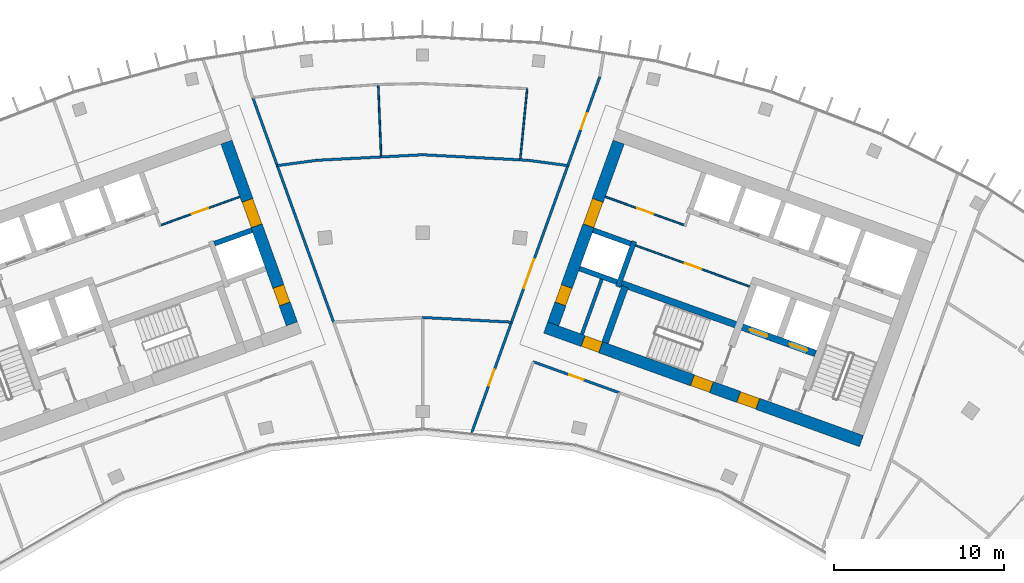
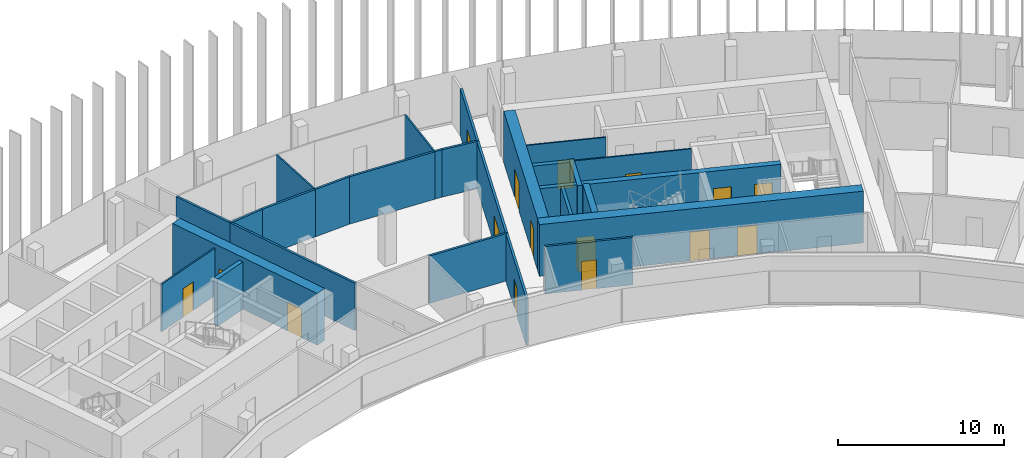
# One storey, part 15 of 18: 28 walls, 16 doors, 16 openings.
"""IFC4 building model written with IfcOpenShell, lengths in metres."""

import ifcopenshell
import ifcopenshell.guid

model = None  # the IFC model being written
_history = None  # IfcOwnerHistory: only IFC2X3 demands one
_inside = {}  # id of a spatial element -> (the spatial element, [elements in it])
_under = {}  # id of a project, library or spatial element -> (it, [spatial elements below it])
_declared = {}  # id of a project -> (the project, [libraries it declares])
_typed = {}  # id of a type object -> (the type object, [elements of that type])
_made_of = {}  # id of a material, layer set ... -> (it, [elements and type objects made of it])


def new_model(schema):
    """Start an empty IFC model of exactly this schema.

    Asked for "IFC4X3", IfcOpenShell would pick the latest addendum, in which some entities
    have other attributes; the version numbers below select the first issue.
    IFC2X3 requires an IfcOwnerHistory on every rooted entity: one is made here for all.
    """
    global model, _history
    if schema == "IFC4X3":
        model = ifcopenshell.file(schema_version=(4, 3, 0, 0))
    else:
        model = ifcopenshell.file(schema=schema)
    _inside.clear()
    _under.clear()
    _declared.clear()
    _typed.clear()
    _made_of.clear()
    _history = None
    if model.schema == "IFC2X3":
        org = make("IfcOrganization", Name="unknown")
        user = make(
            "IfcPersonAndOrganization",
            ThePerson=make("IfcPerson", FamilyName="unknown"),
            TheOrganization=org,
        )
        app = make(
            "IfcApplication",
            ApplicationDeveloper=org,
            Version="unknown",
            ApplicationFullName="unknown",
            ApplicationIdentifier="unknown",
        )
        _history = make(
            "IfcOwnerHistory",
            OwningUser=user,
            OwningApplication=app,
            ChangeAction="ADDED",
            CreationDate=0,
        )
    return model


def make(cls, **values):
    """One entity of the class cls with the attributes given. An attribute that is None is left unset."""
    return model.create_entity(
        cls, **{name: value for name, value in values.items() if value is not None}
    )


def rooted(cls, **values):
    """An entity with a GlobalId (a new one), such as an element, a storey or a relation."""
    return make(cls, GlobalId=ifcopenshell.guid.new(), OwnerHistory=_history, **values)


def si_unit(unit_type, name, prefix=None):
    """IfcSIUnit, for example si_unit("LENGTHUNIT", "METRE", prefix="MILLI")."""
    return make("IfcSIUnit", UnitType=unit_type, Prefix=prefix, Name=name)


def assignment(units):
    """IfcUnitAssignment: the units of a project."""
    return None if units is None else make("IfcUnitAssignment", Units=units)


def point(xyz):
    """IfcCartesianPoint."""
    return None if xyz is None else make("IfcCartesianPoint", Coordinates=xyz)


def direction(xyz):
    """IfcDirection."""
    return None if xyz is None else make("IfcDirection", DirectionRatios=xyz)


def frame(location, z_axis=None, x_axis=None):
    """IfcAxis2Placement3D, a coordinate frame: its origin and axes. An axis left out is left unset."""
    return make(
        "IfcAxis2Placement3D",
        Location=point(location),
        Axis=direction(z_axis),
        RefDirection=direction(x_axis),
    )


def frame_2d(location, x_axis=None):
    """IfcAxis2Placement2D, a coordinate frame in the plane: its origin and x axis."""
    return make(
        "IfcAxis2Placement2D", Location=point(location), RefDirection=direction(x_axis)
    )


def origin():
    """The frame at (0, 0, 0) with its axes left unset."""
    return frame((0.0, 0.0, 0.0))


def place(relative_to, where):
    """IfcLocalPlacement: puts the frame where relative to a parent placement (None: the world)."""
    return make(
        "IfcLocalPlacement", PlacementRelTo=relative_to, RelativePlacement=where
    )


def context(
    kind, dimensions, precision=None, world=None, true_north=None, identifier=None
):
    """IfcGeometricRepresentationContext, for example the 3D "Model" context."""
    return make(
        "IfcGeometricRepresentationContext",
        ContextIdentifier=identifier,
        ContextType=kind,
        CoordinateSpaceDimension=dimensions,
        Precision=precision,
        WorldCoordinateSystem=world,
        TrueNorth=true_north,
    )


def subcontext(parent, identifier, kind, view, scale=None):
    """IfcGeometricRepresentationSubContext, for example "Body" below "Model"."""
    return make(
        "IfcGeometricRepresentationSubContext",
        ContextIdentifier=identifier,
        ContextType=kind,
        ParentContext=parent,
        TargetScale=scale,
        TargetView=view,
    )


def project(units=None, contexts=None):
    """IfcProject with its units and contexts."""
    return rooted(
        "IfcProject",
        Name="project",
        RepresentationContexts=contexts,
        UnitsInContext=assignment(units),
    )


def spatial(cls, under=None, at=None, **own):
    """A site, building, storey or space (cls), placed at a placement, below another one or the project."""
    s = rooted(cls, ObjectPlacement=at, **own)
    if under is not None:
        _under.setdefault(under.id(), (under, []))[1].append(s)
    return s


def profile(cls, at=None, kind="AREA", **sizes):
    """A parametric profile (cls). Its sizes go by their IFC names, for example OverallWidth=200.0."""
    return make(cls, ProfileType=kind, Position=at, **sizes)


def rectangle(**sizes):
    """IfcRectangleProfileDef."""
    return profile("IfcRectangleProfileDef", **sizes)


def extrude(swept, where, along, depth):
    """IfcExtrudedAreaSolid: the profile swept, set in the frame where, extruded along a direction by depth."""
    return make(
        "IfcExtrudedAreaSolid",
        SweptArea=swept,
        Position=where,
        ExtrudedDirection=direction(along),
        Depth=depth,
    )


def shape(context_of_items, identifier, shape_type, items):
    """IfcShapeRepresentation: the items that make up one representation, for example the "Body"."""
    return make(
        "IfcShapeRepresentation",
        ContextOfItems=context_of_items,
        RepresentationIdentifier=identifier,
        RepresentationType=shape_type,
        Items=items,
    )


def material(Name=None, Category=None):
    """IfcMaterial."""
    return make("IfcMaterial", Name=Name, Category=Category)


def layer(
    of_material, thickness, ventilated=None, Name=None, Category=None, Priority=None
):
    """IfcMaterialLayer: one layer of a wall or slab, of a material (None: an air gap)."""
    return make(
        "IfcMaterialLayer",
        Material=of_material,
        LayerThickness=thickness,
        IsVentilated=ventilated,
        Name=Name,
        Category=Category,
        Priority=Priority,
    )


def layer_set(layers, Name=None):
    """IfcMaterialLayerSet."""
    return make("IfcMaterialLayerSet", MaterialLayers=layers, LayerSetName=Name)


def made_of(thing, what):
    """Note that an element or type object is made of a material, layer set ...; save() writes the relation."""
    if what is not None:
        _made_of.setdefault(what.id(), (what, []))[1].append(thing)
    return thing


def type_object(cls, material=None, **own):
    """A type object (cls), such as IfcWallType, which elements share."""
    return made_of(rooted(cls, **own), material)


def element(
    cls,
    number,
    at=None,
    inside=None,
    cuts=None,
    type_object=None,
    material=None,
    context=None,
    identifier="Body",
    shape_type=None,
    held_by="IfcProductDefinitionShape",
    body=None,
    shapes=None,
    **own,
):
    """One element of the class cls, such as IfcWall. Its Tag is "e" and its number.

    at: its placement. inside: the storey or other place that contains it. cuts: it is an
    opening in that element (IfcRelVoidsElement). A single representation is given by context,
    identifier, shape_type and body (its items); several are given by shapes. held_by: the class
    of the entity that holds the representations. save() writes the other relations.
    """
    e = rooted(cls, Tag="e%d" % number, ObjectPlacement=at, **own)
    if body is not None:
        shapes = [shape(context, identifier, shape_type, body)]
    if shapes is not None:
        e.Representation = make(held_by, Representations=shapes)
    if inside is not None:
        _inside.setdefault(inside.id(), (inside, []))[1].append(e)
    if cuts is not None:
        rooted(
            "IfcRelVoidsElement", RelatingBuildingElement=cuts, RelatedOpeningElement=e
        )
    if type_object is not None:
        _typed.setdefault(type_object.id(), (type_object, []))[1].append(e)
    return made_of(e, material)


def fill(opening, filler):
    """IfcRelFillsElement: the door or window that sits in an opening."""
    return rooted(
        "IfcRelFillsElement",
        RelatingOpeningElement=opening,
        RelatedBuildingElement=filler,
    )


def aggregate(whole, parts):
    """IfcRelAggregates: a whole, such as a stair, and the parts it consists of."""
    return rooted("IfcRelAggregates", RelatingObject=whole, RelatedObjects=parts)


def save(model, path):
    """Write the relations noted so far, then the file.

    IfcRelAggregates (storeys below a building ...), IfcRelContainedInSpatialStructure (elements
    in a storey), IfcRelDefinesByType, IfcRelAssociatesMaterial and IfcRelDeclares: one each for
    every whole, place, type object, material and project.
    """
    for whole, parts in _under.values():
        aggregate(whole, parts)
    for where, things in _inside.values():
        rooted(
            "IfcRelContainedInSpatialStructure",
            RelatedElements=things,
            RelatingStructure=where,
        )
    for kind, things in _typed.values():
        rooted("IfcRelDefinesByType", RelatedObjects=things, RelatingType=kind)
    for what, things in _made_of.values():
        rooted("IfcRelAssociatesMaterial", RelatedObjects=things, RelatingMaterial=what)
    for by, libraries in _declared.values():
        rooted("IfcRelDeclares", RelatingContext=by, RelatedDefinitions=libraries)
    model.write(path)


model = new_model("IFC4")

# Units and contexts
model_context = context("Model", 3, precision=1e-05, world=origin(), true_north=direction((0.0, 1.0)))
body_context = subcontext(model_context, "Body", "Model", "MODEL_VIEW")
ifc_project = project(units=[si_unit("LENGTHUNIT", "METRE"), si_unit("AREAUNIT", "SQUARE_METRE"), si_unit("VOLUMEUNIT", "CUBIC_METRE"), si_unit("PLANEANGLEUNIT", "RADIAN"), si_unit("MASSUNIT", "GRAM", prefix="KILO")], contexts=[model_context])

# Site, building, storey
site_placement = place(None, origin())
site = spatial("IfcSite", under=ifc_project, at=site_placement, CompositionType="ELEMENT")
building_placement = place(site_placement, origin())
building = spatial("IfcBuilding", under=site, at=building_placement, Name="Stone Belt Terrace Tower", CompositionType="ELEMENT")
storey_placement = place(building_placement, frame((0.0, 0.0, 269.39990234375)))
storey = spatial("IfcBuildingStorey", under=building, at=storey_placement, Name="L65", CompositionType="ELEMENT", Elevation=269.39990234375)

# Wall, opening, door
ifc_material_1 = material(Name="Plasterboard partition")
ifc_layer_1 = layer(ifc_material_1, 0.10009765625)
ifc_layer_set_1 = layer_set([ifc_layer_1], Name="Core partition 100")
wall_type_1 = type_object("IfcWallType", Name="Core partition 100", PredefinedType="PARTITIONING", material=ifc_layer_set_1)
wall_1_placement = place(storey_placement, frame((-15.43798828125, 55.447998046875, 0.0), z_axis=(0.0, 0.0, 1.0), x_axis=(0.940914445113, 0.338644366522, 0.0)))
wall_1 = element("IfcWall", 1, at=wall_1_placement, inside=storey, type_object=wall_type_1, Name="Core A wall", PredefinedType="PARTITIONING", context=body_context, shape_type="SweptSolid", body=[
    extrude(rectangle(XDim=4.949951171875, YDim=0.10009765625, at=frame_2d((2.47509765625, 0.0))), origin(), (0.0, 0.0, 1.0), 3.47998046875),
])
opening_1_placement = place(wall_1_placement, frame((1.949951171875, 0.0, 0.0)))
opening_1 = element("IfcOpeningElement", 2, at=opening_1_placement, cuts=wall_1, Name="Opening L65-C01", PredefinedType="OPENING", context=body_context, shape_type="SweptSolid", body=[
    extrude(rectangle(XDim=1.0, YDim=2.10009765625, at=frame_2d((0.5, 1.050048828125))), frame((0.0, 0.06005859375, 0.0), z_axis=(0.0, -1.0, 0.0), x_axis=(1.0, 0.0, 0.0)), (0.0, 0.0, 1.0), 0.1201171875),
])
ifc_material_2 = material(Name="Timber door leaf", Category="wood")
door_type_1 = type_object("IfcDoorType", Name="Core room door 1000", OperationType="SINGLE_SWING_LEFT", PredefinedType="DOOR", material=ifc_material_2)
door_1_placement = place(opening_1_placement, origin())
door_1 = element("IfcDoor", 3, at=door_1_placement, inside=storey, type_object=door_type_1, Name="Door to Print and copy room core A", OperationType="SINGLE_SWING_RIGHT", OverallHeight=2.10009765625, OverallWidth=1.0, PredefinedType="DOOR", context=body_context, shape_type="SweptSolid", body=[
    extrude(rectangle(XDim=1.0, YDim=2.10009765625, at=frame_2d((0.5, 1.050048828125))), frame((0.0, 0.02490234375, 0.0), z_axis=(0.0, -1.0, 0.0), x_axis=(1.0, 0.0, 0.0)), (0.0, 0.0, 1.0), 0.050048828125),
])
fill(opening_1, door_1)

wall_2_placement = place(storey_placement, frame((19.29052734375, 51.829833984375, 0.0), z_axis=(0.0, 0.0, 1.0), x_axis=(-0.94092179465, 0.338623945331, 0.0)))
wall_2 = element("IfcWall", 4, at=wall_2_placement, inside=storey, type_object=wall_type_1, Name="Core B wall", PredefinedType="PARTITIONING", context=body_context, shape_type="SweptSolid", body=[
    extrude(rectangle(XDim=7.14990234375, YDim=0.10009765625, at=frame_2d((3.574951171875, 0.0))), origin(), (0.0, 0.0, 1.0), 3.47998046875),
])
opening_2_placement = place(wall_2_placement, frame((3.050048828125, 0.0, 0.0)))
opening_2 = element("IfcOpeningElement", 5, at=opening_2_placement, cuts=wall_2, Name="Opening L65-C13", PredefinedType="OPENING", context=body_context, shape_type="SweptSolid", body=[
    extrude(rectangle(XDim=1.0, YDim=2.10009765625, at=frame_2d((0.5, 1.050048828125))), frame((0.0, 0.06005859375, 0.0), z_axis=(0.0, -1.0, 0.0), x_axis=(1.0, 0.0, 0.0)), (0.0, 0.0, 1.0), 0.1201171875),
])
door_2_placement = place(opening_2_placement, origin())
door_2 = element("IfcDoor", 6, at=door_2_placement, inside=storey, type_object=door_type_1, Name="Door to Pantry core B", OperationType="SINGLE_SWING_LEFT", OverallHeight=2.10009765625, OverallWidth=1.0, PredefinedType="DOOR", context=body_context, shape_type="SweptSolid", body=[
    extrude(rectangle(XDim=1.0, YDim=2.10009765625, at=frame_2d((0.5, 1.050048828125))), frame((0.0, 0.02490234375, 0.0), z_axis=(0.0, -1.0, 0.0), x_axis=(1.0, 0.0, 0.0)), (0.0, 0.0, 1.0), 0.050048828125),
])
fill(opening_2, door_2)

wall_3_placement = place(storey_placement, frame((15.43798828125, 55.447998046875, 0.0), z_axis=(0.0, 0.0, 1.0), x_axis=(-0.940914445113, 0.338644366522, 0.0)))
wall_3 = element("IfcWall", 7, at=wall_3_placement, inside=storey, type_object=wall_type_1, Name="Core B wall", PredefinedType="PARTITIONING", context=body_context, shape_type="SweptSolid", body=[
    extrude(rectangle(XDim=4.949951171875, YDim=0.10009765625, at=frame_2d((2.47509765625, 0.0))), origin(), (0.0, 0.0, 1.0), 3.47998046875),
])
opening_3_placement = place(wall_3_placement, frame((1.949951171875, 0.0, 0.0)))
opening_3 = element("IfcOpeningElement", 8, at=opening_3_placement, cuts=wall_3, Name="Opening L65-C12", PredefinedType="OPENING", context=body_context, shape_type="SweptSolid", body=[
    extrude(rectangle(XDim=1.0, YDim=2.10009765625, at=frame_2d((0.5, 1.050048828125))), frame((0.0, 0.06005859375, 0.0), z_axis=(0.0, -1.0, 0.0), x_axis=(1.0, 0.0, 0.0)), (0.0, 0.0, 1.0), 0.1201171875),
])
door_3_placement = place(opening_3_placement, origin())
door_3 = element("IfcDoor", 9, at=door_3_placement, inside=storey, type_object=door_type_1, Name="Door to Print and copy room core B", OperationType="SINGLE_SWING_LEFT", OverallHeight=2.10009765625, OverallWidth=1.0, PredefinedType="DOOR", context=body_context, shape_type="SweptSolid", body=[
    extrude(rectangle(XDim=1.0, YDim=2.10009765625, at=frame_2d((0.5, 1.050048828125))), frame((0.0, 0.02490234375, 0.0), z_axis=(0.0, -1.0, 0.0), x_axis=(1.0, 0.0, 0.0)), (0.0, 0.0, 1.0), 0.050048828125),
])
fill(opening_3, door_3)

# Wall, openings, doors
ifc_material_3 = material(Name="Concrete B60", Category="concrete")
ifc_layer_2 = layer(ifc_material_3, 0.699951171875)
ifc_layer_set_2 = layer_set([ifc_layer_2], Name="Core wall 700 B60")
wall_type_2 = type_object("IfcWallType", Name="Core wall 700 B60", PredefinedType="SHEAR", material=ifc_layer_set_2)
wall_4_placement = place(storey_placement, frame((-7.70849609375, 49.621337890625, 0.0), z_axis=(0.0, 0.0, 1.0), x_axis=(-0.338606471282, 0.940928083121, 0.0)))
wall_4 = element("IfcWall", 10, at=wall_4_placement, inside=storey, type_object=wall_type_2, Name="Core A wall end_b L65", PredefinedType="SHEAR", context=body_context, shape_type="SweptSolid", body=[
    extrude(rectangle(XDim=11.39990234375, YDim=0.699951171875, at=frame_2d((5.699951171875, 0.0))), origin(), (0.0, 0.0, 1.0), 3.800048828125),
])
opening_4_placement = place(wall_4_placement, frame((6.14990234375, 0.0, 0.0)))
opening_4 = element("IfcOpeningElement", 11, at=opening_4_placement, cuts=wall_4, Name="Opening L65-C04", PredefinedType="OPENING", context=body_context, shape_type="SweptSolid", body=[
    extrude(rectangle(XDim=1.60009765625, YDim=2.10009765625, at=frame_2d((0.800048828125, 1.050048828125))), frame((0.0, 0.35986328125, 0.0), z_axis=(0.0, -1.0, 0.0), x_axis=(1.0, 0.0, 0.0)), (0.0, 0.0, 1.0), 0.719970703125),
])
opening_5_placement = place(wall_4_placement, frame((1.25, 0.0, 0.0)))
opening_5 = element("IfcOpeningElement", 12, at=opening_5_placement, cuts=wall_4, Name="Opening L65-C10", PredefinedType="OPENING", context=body_context, shape_type="SweptSolid", body=[
    extrude(rectangle(XDim=1.10009765625, YDim=2.10009765625, at=frame_2d((0.550048828125, 1.050048828125))), frame((0.0, 0.35986328125, 0.0), z_axis=(0.0, -1.0, 0.0), x_axis=(1.0, 0.0, 0.0)), (0.0, 0.0, 1.0), 0.719970703125),
])
door_type_2 = type_object("IfcDoorType", Name="Core room door 1100", OperationType="SINGLE_SWING_LEFT", PredefinedType="DOOR", material=ifc_material_2)
door_4_placement = place(opening_5_placement, origin())
door_4 = element("IfcDoor", 13, at=door_4_placement, inside=storey, type_object=door_type_2, Name="Door to Cleaner's store core A", OperationType="SINGLE_SWING_LEFT", OverallHeight=2.10009765625, OverallWidth=1.10009765625, PredefinedType="DOOR", context=body_context, shape_type="SweptSolid", body=[
    extrude(rectangle(XDim=1.10009765625, YDim=2.10009765625, at=frame_2d((0.550048828125, 1.050048828125))), frame((0.0, 0.330078125, 0.0), z_axis=(0.0, -1.0, 0.0), x_axis=(1.0, 0.0, 0.0)), (0.0, 0.0, 1.0), 0.659912109375),
])
fill(opening_5, door_4)
ifc_material_4 = material(Name="Glazed aluminium door leaf", Category="aluminium")
door_type_3 = type_object("IfcDoorType", Name="Lift lobby entrance door 1600", OperationType="DOUBLE_DOOR_SINGLE_SWING", PredefinedType="DOOR", material=ifc_material_4)
door_5_placement = place(opening_4_placement, origin())
door_5 = element("IfcDoor", 14, at=door_5_placement, inside=storey, type_object=door_type_3, Name="Lift lobby entrance door core A", OperationType="DOUBLE_DOOR_SINGLE_SWING", OverallHeight=2.10009765625, OverallWidth=1.60009765625, PredefinedType="DOOR", context=body_context, shape_type="SweptSolid", body=[
    extrude(rectangle(XDim=1.60009765625, YDim=2.10009765625, at=frame_2d((0.800048828125, 1.050048828125))), frame((0.0, 0.330078125, 0.0), z_axis=(0.0, -1.0, 0.0), x_axis=(1.0, 0.0, 0.0)), (0.0, 0.0, 1.0), 0.659912109375),
])
fill(opening_4, door_5)

wall_5_placement = place(storey_placement, frame((7.260498046875, 49.410400390625, 0.0), z_axis=(0.0, 0.0, 1.0), x_axis=(0.940925130461, -0.338614676094, 0.0)))
wall_5 = element("IfcWall", 15, at=wall_5_placement, inside=storey, type_object=wall_type_2, Name="Core B wall concave L65", PredefinedType="SHEAR", context=body_context, shape_type="SweptSolid", body=[
    extrude(rectangle(XDim=19.800048828125, YDim=0.699951171875, at=frame_2d((9.89990234375, 0.0))), origin(), (0.0, 0.0, 1.0), 3.800048828125),
])
opening_6_placement = place(wall_5_placement, frame((12.10009765625, 0.0, 0.0)))
opening_6 = element("IfcOpeningElement", 16, at=opening_6_placement, cuts=wall_5, Name="Opening L65-C18", PredefinedType="OPENING", context=body_context, shape_type="SweptSolid", body=[
    extrude(rectangle(XDim=1.199951171875, YDim=2.10009765625, at=frame_2d((0.60009765625, 1.050048828125))), frame((0.0, 0.35986328125, 0.0), z_axis=(0.0, -1.0, 0.0), x_axis=(1.0, 0.0, 0.0)), (0.0, 0.0, 1.0), 0.719970703125),
])
opening_7_placement = place(wall_5_placement, frame((9.2001953125, 0.0, 0.0)))
opening_7 = element("IfcOpeningElement", 17, at=opening_7_placement, cuts=wall_5, Name="Opening L65-C20", PredefinedType="OPENING", context=body_context, shape_type="SweptSolid", body=[
    extrude(rectangle(XDim=1.199951171875, YDim=2.10009765625, at=frame_2d((0.60009765625, 1.050048828125))), frame((0.0, 0.35986328125, 0.0), z_axis=(0.0, -1.0, 0.0), x_axis=(1.0, 0.0, 0.0)), (0.0, 0.0, 1.0), 0.719970703125),
])
opening_8_placement = place(wall_5_placement, frame((2.35009765625, 0.0, 0.0)))
opening_8 = element("IfcOpeningElement", 18, at=opening_8_placement, cuts=wall_5, Name="Opening L65-C22", PredefinedType="OPENING", context=body_context, shape_type="SweptSolid", body=[
    extrude(rectangle(XDim=1.10009765625, YDim=2.10009765625, at=frame_2d((0.550048828125, 1.050048828125))), frame((0.0, 0.35986328125, 0.0), z_axis=(0.0, -1.0, 0.0), x_axis=(1.0, 0.0, 0.0)), (0.0, 0.0, 1.0), 0.719970703125),
])
door_6_placement = place(opening_8_placement, origin())
door_6 = element("IfcDoor", 19, at=door_6_placement, inside=storey, type_object=door_type_2, Name="Door to Communications riser room core B", OperationType="SINGLE_SWING_LEFT", OverallHeight=2.10009765625, OverallWidth=1.10009765625, PredefinedType="DOOR", context=body_context, shape_type="SweptSolid", body=[
    extrude(rectangle(XDim=1.10009765625, YDim=2.10009765625, at=frame_2d((0.550048828125, 1.050048828125))), frame((0.0, 0.330078125, 0.0), z_axis=(0.0, -1.0, 0.0), x_axis=(1.0, 0.0, 0.0)), (0.0, 0.0, 1.0), 0.659912109375),
])
fill(opening_8, door_6)
ifc_material_5 = material(Name="Steel door leaf", Category="steel")
door_type_4 = type_object("IfcDoorType", Name="Fire-fighting lobby door 1200", OperationType="SINGLE_SWING_LEFT", PredefinedType="DOOR", material=ifc_material_5)
door_7_placement = place(opening_6_placement, origin())
door_7 = element("IfcDoor", 20, at=door_7_placement, inside=storey, type_object=door_type_4, Name="Fire-fighting lobby door core B", OperationType="SINGLE_SWING_LEFT", OverallHeight=2.10009765625, OverallWidth=1.199951171875, PredefinedType="DOOR", context=body_context, shape_type="SweptSolid", body=[
    extrude(rectangle(XDim=1.199951171875, YDim=2.10009765625, at=frame_2d((0.60009765625, 1.050048828125))), frame((0.0, 0.330078125, 0.0), z_axis=(0.0, -1.0, 0.0), x_axis=(1.0, 0.0, 0.0)), (0.0, 0.0, 1.0), 0.659912109375),
])
fill(opening_6, door_7)
door_type_5 = type_object("IfcDoorType", Name="Stair door 1200", OperationType="SINGLE_SWING_LEFT", PredefinedType="DOOR", material=ifc_material_5)
door_8_placement = place(opening_7_placement, origin())
door_8 = element("IfcDoor", 21, at=door_8_placement, inside=storey, type_object=door_type_5, Name="Stair 2 exit door core B", OperationType="SINGLE_SWING_RIGHT", OverallHeight=2.10009765625, OverallWidth=1.199951171875, PredefinedType="DOOR", context=body_context, shape_type="SweptSolid", body=[
    extrude(rectangle(XDim=1.199951171875, YDim=2.10009765625, at=frame_2d((0.60009765625, 1.050048828125))), frame((0.0, 0.330078125, 0.0), z_axis=(0.0, -1.0, 0.0), x_axis=(1.0, 0.0, 0.0)), (0.0, 0.0, 1.0), 0.659912109375),
])
fill(opening_7, door_8)

wall_6_placement = place(storey_placement, frame((7.70849609375, 49.621337890625, 0.0), z_axis=(0.0, 0.0, 1.0), x_axis=(0.338606471282, 0.940928083121, 0.0)))
wall_6 = element("IfcWall", 22, at=wall_6_placement, inside=storey, type_object=wall_type_2, Name="Core B wall end_a L65", PredefinedType="SHEAR", context=body_context, shape_type="SweptSolid", body=[
    extrude(rectangle(XDim=11.39990234375, YDim=0.699951171875, at=frame_2d((5.699951171875, 0.0))), origin(), (0.0, 0.0, 1.0), 3.800048828125),
])
opening_9_placement = place(wall_6_placement, frame((6.14990234375, 0.0, 0.0)))
opening_9 = element("IfcOpeningElement", 23, at=opening_9_placement, cuts=wall_6, Name="Opening L65-C15", PredefinedType="OPENING", context=body_context, shape_type="SweptSolid", body=[
    extrude(rectangle(XDim=1.60009765625, YDim=2.10009765625, at=frame_2d((0.800048828125, 1.050048828125))), frame((0.0, 0.35986328125, 0.0), z_axis=(0.0, -1.0, 0.0), x_axis=(1.0, 0.0, 0.0)), (0.0, 0.0, 1.0), 0.719970703125),
])
opening_10_placement = place(wall_6_placement, frame((1.25, 0.0, 0.0)))
opening_10 = element("IfcOpeningElement", 24, at=opening_10_placement, cuts=wall_6, Name="Opening L65-C21", PredefinedType="OPENING", context=body_context, shape_type="SweptSolid", body=[
    extrude(rectangle(XDim=1.10009765625, YDim=2.10009765625, at=frame_2d((0.550048828125, 1.050048828125))), frame((0.0, 0.35986328125, 0.0), z_axis=(0.0, -1.0, 0.0), x_axis=(1.0, 0.0, 0.0)), (0.0, 0.0, 1.0), 0.719970703125),
])
door_9_placement = place(opening_10_placement, origin())
door_9 = element("IfcDoor", 25, at=door_9_placement, inside=storey, type_object=door_type_2, Name="Door to Cleaner's store core B", OperationType="SINGLE_SWING_RIGHT", OverallHeight=2.10009765625, OverallWidth=1.10009765625, PredefinedType="DOOR", context=body_context, shape_type="SweptSolid", body=[
    extrude(rectangle(XDim=1.10009765625, YDim=2.10009765625, at=frame_2d((0.550048828125, 1.050048828125))), frame((0.0, 0.330078125, 0.0), z_axis=(0.0, -1.0, 0.0), x_axis=(1.0, 0.0, 0.0)), (0.0, 0.0, 1.0), 0.659912109375),
])
fill(opening_10, door_9)
door_10_placement = place(opening_9_placement, origin())
door_10 = element("IfcDoor", 26, at=door_10_placement, inside=storey, type_object=door_type_3, Name="Lift lobby entrance door core B", OperationType="DOUBLE_DOOR_SINGLE_SWING", OverallHeight=2.10009765625, OverallWidth=1.60009765625, PredefinedType="DOOR", context=body_context, shape_type="SweptSolid", body=[
    extrude(rectangle(XDim=1.60009765625, YDim=2.10009765625, at=frame_2d((0.800048828125, 1.050048828125))), frame((0.0, 0.330078125, 0.0), z_axis=(0.0, -1.0, 0.0), x_axis=(1.0, 0.0, 0.0)), (0.0, 0.0, 1.0), 0.659912109375),
])
fill(opening_9, door_10)

# Walls
ifc_material_6 = material(Name="Concrete B80", Category="concrete")
ifc_layer_3 = layer(ifc_material_6, 0.300048828125)
ifc_layer_set_3 = layer_set([ifc_layer_3], Name="Lift shaft wall 300")
wall_type_3 = type_object("IfcWallType", Name="Lift shaft wall 300", PredefinedType="SHEAR", material=ifc_layer_set_3)
wall_7_placement = place(storey_placement, frame((-12.280517578125, 54.3525390625, 0.0), z_axis=(0.0, 0.0, 1.0), x_axis=(0.940925816745, 0.338612769078, 0.0)))
element("IfcWall", 27, at=wall_7_placement, inside=storey, type_object=wall_type_3, Name="Core A wall", PredefinedType="SHEAR", context=body_context, shape_type="SweptSolid", body=[
    extrude(rectangle(XDim=2.349853515625, YDim=0.300048828125, at=frame_2d((1.1748046875, 0.0))), origin(), (0.0, 0.0, 1.0), 3.47998046875),
])
wall_8_placement = place(storey_placement, frame((11.5244140625, 51.808349609375, 0.0), z_axis=(0.0, 0.0, 1.0), x_axis=(0.338625431531, 0.940921259788, 0.0)))
element("IfcWall", 28, at=wall_8_placement, inside=storey, type_object=wall_type_3, Name="Core B wall", PredefinedType="SHEAR", context=body_context, shape_type="SweptSolid", body=[
    extrude(rectangle(XDim=2.85009765625, YDim=0.300048828125, at=frame_2d((1.425048828125, 0.0))), origin(), (0.0, 0.0, 1.0), 3.47998046875),
])
wall_9_placement = place(storey_placement, frame((11.468017578125, 52.09423828125, 0.0), z_axis=(0.0, 0.0, 1.0), x_axis=(-0.940904627055, 0.338671644496, 0.0)))
element("IfcWall", 29, at=wall_9_placement, inside=storey, type_object=wall_type_3, Name="Core B wall", PredefinedType="SHEAR", context=body_context, shape_type="SweptSolid", body=[
    extrude(rectangle(XDim=2.35009765625, YDim=0.300048828125, at=frame_2d((1.175048828125, 0.0))), origin(), (0.0, 0.0, 1.0), 3.47998046875),
])
wall_10_placement = place(storey_placement, frame((12.280517578125, 54.3525390625, 0.0), z_axis=(0.0, 0.0, 1.0), x_axis=(-0.940925816745, 0.338612769078, 0.0)))
element("IfcWall", 30, at=wall_10_placement, inside=storey, type_object=wall_type_3, Name="Core B wall", PredefinedType="SHEAR", context=body_context, shape_type="SweptSolid", body=[
    extrude(rectangle(XDim=2.349853515625, YDim=0.300048828125, at=frame_2d((1.1748046875, 0.0))), origin(), (0.0, 0.0, 1.0), 3.47998046875),
])
ifc_material_7 = material(Name="Gypsum board partition")
ifc_layer_4 = layer(ifc_material_7, 0.10009765625)
ifc_layer_set_4 = layer_set([ifc_layer_4], Name="PARTITION 100")
wall_type_4 = type_object("IfcWallType", Name="PARTITION 100", PredefinedType="PARTITIONING", material=ifc_layer_set_4)
wall_11_placement = place(storey_placement, frame((5.761962890625, 59.298095703125, 0.0), z_axis=(0.0, 0.0, 1.0), x_axis=(0.096841544276, 0.995299811766, 0.0)))
element("IfcWall", 31, at=wall_11_placement, inside=storey, type_object=wall_type_4, Name="L65/wall/i081", PredefinedType="PARTITIONING", context=body_context, shape_type="SweptSolid", body=[
    extrude(rectangle(XDim=4.22265625, YDim=0.10009765625, at=frame_2d((2.111328125, 0.0))), origin(), (0.0, 0.0, 1.0), 3.47998046875),
])
wall_12_placement = place(storey_placement, frame((-2.615966796875, 63.74609375, 0.0), z_axis=(0.0, 0.0, 1.0), x_axis=(0.040920742427, -0.999162395629, 0.0)))
element("IfcWall", 32, at=wall_12_placement, inside=storey, type_object=wall_type_4, Name="L65/wall/i086", PredefinedType="PARTITIONING", context=body_context, shape_type="SweptSolid", body=[
    extrude(rectangle(XDim=4.27783203125, YDim=0.10009765625, at=frame_2d((2.138916015625, 0.0))), origin(), (0.0, 0.0, 1.0), 3.47998046875),
])
ifc_layer_5 = layer(ifc_material_7, 0.14990234375)
ifc_layer_set_5 = layer_set([ifc_layer_5], Name="PARTITION 150 EI 60")
wall_type_5 = type_object("IfcWallType", Name="PARTITION 150 EI 60", PredefinedType="PARTITIONING", material=ifc_layer_set_5)
wall_13_placement = place(storey_placement, frame((-10.01708984375, 62.97900390625, 0.0), z_axis=(0.0, 0.0, 1.0), x_axis=(0.338519370283, -0.940959423112, 0.0)))
element("IfcWall", 33, at=wall_13_placement, inside=storey, type_object=wall_type_5, Name="L65/wall/i014", PredefinedType="PARTITIONING", context=body_context, shape_type="SweptSolid", body=[
    extrude(rectangle(XDim=4.27734375, YDim=0.14990234375, at=frame_2d((2.138671875, 0.0))), origin(), (0.0, 0.0, 1.0), 3.47998046875),
])
wall_14_placement = place(storey_placement, frame((-8.572998046875, 58.966064453125, 0.0), z_axis=(0.0, 0.0, 1.0), x_axis=(0.338560271088, -0.940944707643, 0.0)))
element("IfcWall", 34, at=wall_14_placement, inside=storey, type_object=wall_type_5, Name="L65/wall/i015", PredefinedType="PARTITIONING", context=body_context, shape_type="SweptSolid", body=[
    extrude(rectangle(XDim=9.82958984375, YDim=0.14990234375, at=frame_2d((4.914794921875, 0.0))), origin(), (0.0, 0.0, 1.0), 3.47998046875),
])

# Wall, opening, door
wall_15_placement = place(storey_placement, frame((2.8974609375, 43.195556640625, 0.0), z_axis=(0.0, 0.0, 1.0), x_axis=(0.338658460958, 0.940909372268, 0.0)))
wall_15 = element("IfcWall", 35, at=wall_15_placement, inside=storey, type_object=wall_type_5, Name="L65/wall/i024", PredefinedType="PARTITIONING", context=body_context, shape_type="SweptSolid", body=[
    extrude(rectangle(XDim=6.94384765625, YDim=0.14990234375, at=frame_2d((3.471923828125, 0.0))), origin(), (0.0, 0.0, 1.0), 3.47998046875),
])
opening_11_placement = place(wall_15_placement, frame((2.971923828125, 0.0, 0.0)))
opening_11 = element("IfcOpeningElement", 36, at=opening_11_placement, cuts=wall_15, Name="Opening D-E1-26", PredefinedType="OPENING", context=body_context, shape_type="SweptSolid", body=[
    extrude(rectangle(XDim=1.0, YDim=2.10009765625, at=frame_2d((0.5, 1.050048828125))), frame((0.0, 0.0849609375, 0.0), z_axis=(0.0, -1.0, 0.0), x_axis=(1.0, 0.0, 0.0)), (0.0, 0.0, 1.0), 0.169921875),
])
ifc_material_8 = material(Name="Timber fire door leaf", Category="wood")
door_type_6 = type_object("IfcDoorType", Name="TENANCY ENTRANCE DOOR 1000 X 2100", OperationType="NOTDEFINED", PredefinedType="DOOR", material=ifc_material_8)
door_11_placement = place(opening_11_placement, origin())
door_11 = element("IfcDoor", 37, at=door_11_placement, inside=storey, type_object=door_type_6, Name="L65/door/i26", OperationType="SINGLE_SWING_RIGHT", OverallHeight=2.10009765625, OverallWidth=1.0, PredefinedType="DOOR", context=body_context, shape_type="SweptSolid", body=[
    extrude(rectangle(XDim=1.0, YDim=2.10009765625, at=frame_2d((0.5, 1.050048828125))), frame((0.0, 0.02490234375, 0.0), z_axis=(0.0, -1.0, 0.0), x_axis=(1.0, 0.0, 0.0)), (0.0, 0.0, 1.0), 0.050048828125),
])
fill(opening_11, door_11)

wall_16_placement = place(storey_placement, frame((8.569091796875, 58.9541015625, 0.0), z_axis=(0.0, 0.0, 1.0), x_axis=(0.33864189196, 0.940915335729, 0.0)))
wall_16 = element("IfcWall", 38, at=wall_16_placement, inside=storey, type_object=wall_type_5, Name="L65/wall/i025", PredefinedType="PARTITIONING", context=body_context, shape_type="SweptSolid", body=[
    extrude(rectangle(XDim=5.572265625, YDim=0.14990234375, at=frame_2d((2.7861328125, 0.0))), origin(), (0.0, 0.0, 1.0), 3.47998046875),
])
opening_12_placement = place(wall_16_placement, frame((2.2861328125, 0.0, 0.0)))
opening_12 = element("IfcOpeningElement", 39, at=opening_12_placement, cuts=wall_16, Name="Opening D-E1-27", PredefinedType="OPENING", context=body_context, shape_type="SweptSolid", body=[
    extrude(rectangle(XDim=1.0, YDim=2.10009765625, at=frame_2d((0.5, 1.050048828125))), frame((0.0, 0.0849609375, 0.0), z_axis=(0.0, -1.0, 0.0), x_axis=(1.0, 0.0, 0.0)), (0.0, 0.0, 1.0), 0.169921875),
])
door_12_placement = place(opening_12_placement, origin())
door_12 = element("IfcDoor", 40, at=door_12_placement, inside=storey, type_object=door_type_6, Name="L65/door/i27", OperationType="SINGLE_SWING_RIGHT", OverallHeight=2.10009765625, OverallWidth=1.0, PredefinedType="DOOR", context=body_context, shape_type="SweptSolid", body=[
    extrude(rectangle(XDim=1.0, YDim=2.10009765625, at=frame_2d((0.5, 1.050048828125))), frame((0.0, 0.02490234375, 0.0), z_axis=(0.0, -1.0, 0.0), x_axis=(1.0, 0.0, 0.0)), (0.0, 0.0, 1.0), 0.050048828125),
])
fill(opening_12, door_12)

wall_17_placement = place(storey_placement, frame((5.2451171875, 49.717041015625, 0.0), z_axis=(0.0, 0.0, 1.0), x_axis=(0.338560271088, 0.940944707643, 0.0)))
wall_17 = element("IfcWall", 41, at=wall_17_placement, inside=storey, type_object=wall_type_5, Name="L65/wall/i027", PredefinedType="PARTITIONING", context=body_context, shape_type="SweptSolid", body=[
    extrude(rectangle(XDim=9.82958984375, YDim=0.14990234375, at=frame_2d((4.914794921875, 0.0))), origin(), (0.0, 0.0, 1.0), 3.47998046875),
])
opening_13_placement = place(wall_17_placement, frame((2.157470703125, 0.0, 0.0)))
opening_13 = element("IfcOpeningElement", 42, at=opening_13_placement, cuts=wall_17, Name="Opening D-E1-30", PredefinedType="OPENING", context=body_context, shape_type="SweptSolid", body=[
    extrude(rectangle(XDim=1.800048828125, YDim=2.10009765625, at=frame_2d((0.89990234375, 1.050048828125))), frame((0.0, 0.0849609375, 0.0), z_axis=(0.0, -1.0, 0.0), x_axis=(1.0, 0.0, 0.0)), (0.0, 0.0, 1.0), 0.169921875),
])
door_type_7 = type_object("IfcDoorType", Name="DOUBLE DOOR 1800 X 2100", OperationType="DOUBLE_DOOR_SINGLE_SWING", PredefinedType="DOOR", material=ifc_material_2)
door_13_placement = place(opening_13_placement, origin())
door_13 = element("IfcDoor", 43, at=door_13_placement, inside=storey, type_object=door_type_7, Name="L65/door/i30", OperationType="DOUBLE_DOOR_SINGLE_SWING", OverallHeight=2.10009765625, OverallWidth=1.800048828125, PredefinedType="DOOR", context=body_context, shape_type="SweptSolid", body=[
    extrude(rectangle(XDim=1.800048828125, YDim=2.10009765625, at=frame_2d((0.89990234375, 1.050048828125))), frame((0.0, 0.02490234375, 0.0), z_axis=(0.0, -1.0, 0.0), x_axis=(1.0, 0.0, 0.0)), (0.0, 0.0, 1.0), 0.050048828125),
])
fill(opening_13, door_13)

wall_18_placement = place(storey_placement, frame((11.612060546875, 45.56005859375, 0.0), z_axis=(0.0, 0.0, 1.0), x_axis=(-0.940922576985, 0.338621771481, 0.0)))
wall_18 = element("IfcWall", 44, at=wall_18_placement, inside=storey, type_object=wall_type_5, Name="L65/wall/i036", PredefinedType="PARTITIONING", context=body_context, shape_type="SweptSolid", body=[
    extrude(rectangle(XDim=5.39794921875, YDim=0.14990234375, at=frame_2d((2.698974609375, 0.0))), origin(), (0.0, 0.0, 1.0), 3.47998046875),
])
opening_14_placement = place(wall_18_placement, frame((2.2490234375, 0.0, 0.0)))
opening_14 = element("IfcOpeningElement", 45, at=opening_14_placement, cuts=wall_18, Name="Opening D-E1-06", PredefinedType="OPENING", context=body_context, shape_type="SweptSolid", body=[
    extrude(rectangle(XDim=0.89990234375, YDim=2.10009765625, at=frame_2d((0.449951171875, 1.050048828125))), frame((0.0, 0.0849609375, 0.0), z_axis=(0.0, -1.0, 0.0), x_axis=(1.0, 0.0, 0.0)), (0.0, 0.0, 1.0), 0.169921875),
])
door_type_8 = type_object("IfcDoorType", Name="OFFICE DOOR 900 X 2100", OperationType="NOTDEFINED", PredefinedType="DOOR", material=ifc_material_2)
door_14_placement = place(opening_14_placement, origin())
door_14 = element("IfcDoor", 46, at=door_14_placement, inside=storey, type_object=door_type_8, Name="L65/door/i06", OperationType="SINGLE_SWING_RIGHT", OverallHeight=2.10009765625, OverallWidth=0.89990234375, PredefinedType="DOOR", context=body_context, shape_type="SweptSolid", body=[
    extrude(rectangle(XDim=0.89990234375, YDim=2.10009765625, at=frame_2d((0.449951171875, 1.050048828125))), frame((0.0, 0.02490234375, 0.0), z_axis=(0.0, -1.0, 0.0), x_axis=(1.0, 0.0, 0.0)), (0.0, 0.0, 1.0), 0.050048828125),
])
fill(opening_14, door_14)

# Walls
wall_19_placement = place(storey_placement, frame((0.0, 50.0, 0.0), z_axis=(0.0, 0.0, 1.0), x_axis=(0.998629146863, -0.052343357133, 0.0)))
element("IfcWall", 47, at=wall_19_placement, inside=storey, type_object=wall_type_5, Name="L65/wall/i078", PredefinedType="PARTITIONING", context=body_context, shape_type="SweptSolid", body=[
    extrude(rectangle(XDim=5.233154296875, YDim=0.14990234375, at=frame_2d((2.61669921875, 0.0))), origin(), (0.0, 0.0, 1.0), 3.47998046875),
])
wall_20_placement = place(storey_placement, frame((8.572021484375, 58.9599609375, 0.0), z_axis=(0.0, 0.0, 1.0), x_axis=(-0.991133806979, 0.132867515457, 0.0)))
element("IfcWall", 48, at=wall_20_placement, inside=storey, type_object=wall_type_5, Name="L65/wall/i084", PredefinedType="PARTITIONING", context=body_context, shape_type="SweptSolid", body=[
    extrude(rectangle(XDim=2.363037109375, YDim=0.14990234375, at=frame_2d((1.181640625, 0.0))), origin(), (0.0, 0.0, 1.0), 3.47998046875),
])
wall_21_placement = place(storey_placement, frame((6.22998046875, 59.27392578125, 0.0), z_axis=(0.0, 0.0, 1.0), x_axis=(-0.998669151792, 0.051574463238, 0.0)))
element("IfcWall", 49, at=wall_21_placement, inside=storey, type_object=wall_type_5, Name="L65/wall/i085", PredefinedType="PARTITIONING", context=body_context, shape_type="SweptSolid", body=[
    extrude(rectangle(XDim=0.46875, YDim=0.14990234375, at=frame_2d((0.234375, 0.0))), origin(), (0.0, 0.0, 1.0), 3.47998046875),
])
wall_22_placement = place(storey_placement, frame((-2.44091796875, 59.471923828125, 0.0), z_axis=(0.0, 0.0, 1.0), x_axis=(-0.998637489128, -0.052183956423, 0.0)))
element("IfcWall", 50, at=wall_22_placement, inside=storey, type_object=wall_type_5, Name="L65/wall/i087", PredefinedType="PARTITIONING", context=body_context, shape_type="SweptSolid", body=[
    extrude(rectangle(XDim=3.794189453125, YDim=0.14990234375, at=frame_2d((1.89697265625, 0.0))), origin(), (0.0, 0.0, 1.0), 3.47998046875),
])
wall_23_placement = place(storey_placement, frame((-6.22998046875, 59.27392578125, 0.0), z_axis=(0.0, 0.0, 1.0), x_axis=(-0.991133806979, -0.132867515457, 0.0)))
element("IfcWall", 51, at=wall_23_placement, inside=storey, type_object=wall_type_5, Name="L65/wall/i088", PredefinedType="PARTITIONING", context=body_context, shape_type="SweptSolid", body=[
    extrude(rectangle(XDim=2.363037109375, YDim=0.14990234375, at=frame_2d((1.181640625, 0.0))), origin(), (0.0, 0.0, 1.0), 3.47998046875),
])
wall_24_placement = place(storey_placement, frame((5.761962890625, 59.298095703125, 0.0), z_axis=(0.0, 0.0, 1.0), x_axis=(-0.998629260518, 0.052341188732, 0.0)))
element("IfcWall", 52, at=wall_24_placement, inside=storey, type_object=wall_type_5, Name="L65/wall/i089", PredefinedType="PARTITIONING", context=body_context, shape_type="SweptSolid", body=[
    extrude(rectangle(XDim=5.769775390625, YDim=0.14990234375, at=frame_2d((2.884765625, 0.0))), origin(), (0.0, 0.0, 1.0), 3.47998046875),
])
wall_25_placement = place(storey_placement, frame((0.0, 59.60009765625, 0.0), z_axis=(0.0, 0.0, 1.0), x_axis=(-0.998624168172, -0.05243825648, 0.0)))
element("IfcWall", 53, at=wall_25_placement, inside=storey, type_object=wall_type_5, Name="L65/wall/i090", PredefinedType="PARTITIONING", context=body_context, shape_type="SweptSolid", body=[
    extrude(rectangle(XDim=2.4443359375, YDim=0.14990234375, at=frame_2d((1.22216796875, 0.0))), origin(), (0.0, 0.0, 1.0), 3.47998046875),
])
ifc_material_9 = material(Name="Concrete masonry block", Category="masonry")
ifc_layer_6 = layer(ifc_material_9, 0.199951171875)
ifc_layer_set_6 = layer_set([ifc_layer_6], Name="Rated lobby wall 200")
wall_type_6 = type_object("IfcWallType", Name="Rated lobby wall 200", PredefinedType="PARTITIONING", material=ifc_layer_set_6)
wall_26_placement = place(storey_placement, frame((9.402099609375, 49.01171875, 0.0), z_axis=(0.0, 0.0, 1.0), x_axis=(0.338599189079, 0.940930703695, 0.0)))
element("IfcWall", 54, at=wall_26_placement, inside=storey, type_object=wall_type_6, Name="Core B wall", PredefinedType="PARTITIONING", context=body_context, shape_type="SweptSolid", body=[
    extrude(rectangle(XDim=3.4501953125, YDim=0.199951171875, at=frame_2d((1.72509765625, 0.0))), origin(), (0.0, 0.0, 1.0), 3.47998046875),
])

# Wall, openings, doors
ifc_layer_7 = layer(ifc_material_6, 0.39990234375)
ifc_layer_set_7 = layer_set([ifc_layer_7], Name="Stair enclosure wall 400")
wall_type_7 = type_object("IfcWallType", Name="Stair enclosure wall 400", PredefinedType="SHEAR", material=ifc_layer_set_7)
wall_27_placement = place(storey_placement, frame((23.182373046875, 47.87841796875, 0.0), z_axis=(0.0, 0.0, 1.0), x_axis=(-0.940921731919, 0.338624119641, 0.0)))
wall_27 = element("IfcWall", 55, at=wall_27_placement, inside=storey, type_object=wall_type_7, Name="Core B wall", PredefinedType="SHEAR", context=body_context, shape_type="SweptSolid", body=[
    extrude(rectangle(XDim=12.14990234375, YDim=0.39990234375, at=frame_2d((6.074951171875, 0.0))), origin(), (0.0, 0.0, 1.0), 3.47998046875),
])
opening_15_placement = place(wall_27_placement, frame((0.52001953125, 0.0, 0.0)))
opening_15 = element("IfcOpeningElement", 56, at=opening_15_placement, cuts=wall_27, Name="Opening L65-LD12", PredefinedType="OPENING", context=body_context, shape_type="SweptSolid", body=[
    extrude(rectangle(XDim=1.10009765625, YDim=2.199951171875, at=frame_2d((0.550048828125, 1.10009765625))), frame((0.0, 0.2099609375, 0.0), z_axis=(0.0, -1.0, 0.0), x_axis=(1.0, 0.0, 0.0)), (0.0, 0.0, 1.0), 0.419921875),
])
opening_16_placement = place(wall_27_placement, frame((3.02001953125, 0.0, 0.0)))
opening_16 = element("IfcOpeningElement", 57, at=opening_16_placement, cuts=wall_27, Name="Opening L65-LD13", PredefinedType="OPENING", context=body_context, shape_type="SweptSolid", body=[
    extrude(rectangle(XDim=1.10009765625, YDim=2.199951171875, at=frame_2d((0.550048828125, 1.10009765625))), frame((0.0, 0.2099609375, 0.0), z_axis=(0.0, -1.0, 0.0), x_axis=(1.0, 0.0, 0.0)), (0.0, 0.0, 1.0), 0.419921875),
])
ifc_material_10 = material(Name="Stainless steel door leaf", Category="steel")
door_type_9 = type_object("IfcDoorType", Name="Landing door 1100", OperationType="SLIDING_TO_LEFT", PredefinedType="DOOR", material=ifc_material_10)
door_15_placement = place(opening_15_placement, origin())
door_15 = element("IfcDoor", 58, at=door_15_placement, inside=storey, type_object=door_type_9, Name="Landing door FF1 core B", OperationType="SLIDING_TO_LEFT", OverallHeight=2.199951171875, OverallWidth=1.10009765625, PredefinedType="DOOR", context=body_context, shape_type="SweptSolid", body=[
    extrude(rectangle(XDim=1.10009765625, YDim=2.199951171875, at=frame_2d((0.550048828125, 1.10009765625))), frame((0.0, 0.02490234375, 0.0), z_axis=(0.0, -1.0, 0.0), x_axis=(1.0, 0.0, 0.0)), (0.0, 0.0, 1.0), 0.050048828125),
])
fill(opening_15, door_15)
door_16_placement = place(opening_16_placement, origin())
door_16 = element("IfcDoor", 59, at=door_16_placement, inside=storey, type_object=door_type_9, Name="Landing door FF2 core B", OperationType="SLIDING_TO_LEFT", OverallHeight=2.199951171875, OverallWidth=1.10009765625, PredefinedType="DOOR", context=body_context, shape_type="SweptSolid", body=[
    extrude(rectangle(XDim=1.10009765625, YDim=2.199951171875, at=frame_2d((0.550048828125, 1.10009765625))), frame((0.0, 0.02490234375, 0.0), z_axis=(0.0, -1.0, 0.0), x_axis=(1.0, 0.0, 0.0)), (0.0, 0.0, 1.0), 0.050048828125),
])
fill(opening_16, door_16)

# Wall
wall_28_placement = place(storey_placement, frame((10.766357421875, 48.520751953125, 0.0), z_axis=(0.0, 0.0, 1.0), x_axis=(0.338655246459, 0.940910529246, 0.0)))
element("IfcWall", 60, at=wall_28_placement, inside=storey, type_object=wall_type_7, Name="Core B wall", PredefinedType="SHEAR", context=body_context, shape_type="SweptSolid", body=[
    extrude(rectangle(XDim=3.5, YDim=0.39990234375, at=frame_2d((1.75, 0.0))), origin(), (0.0, 0.0, 1.0), 3.47998046875),
])

save(model, "model.ifc")
